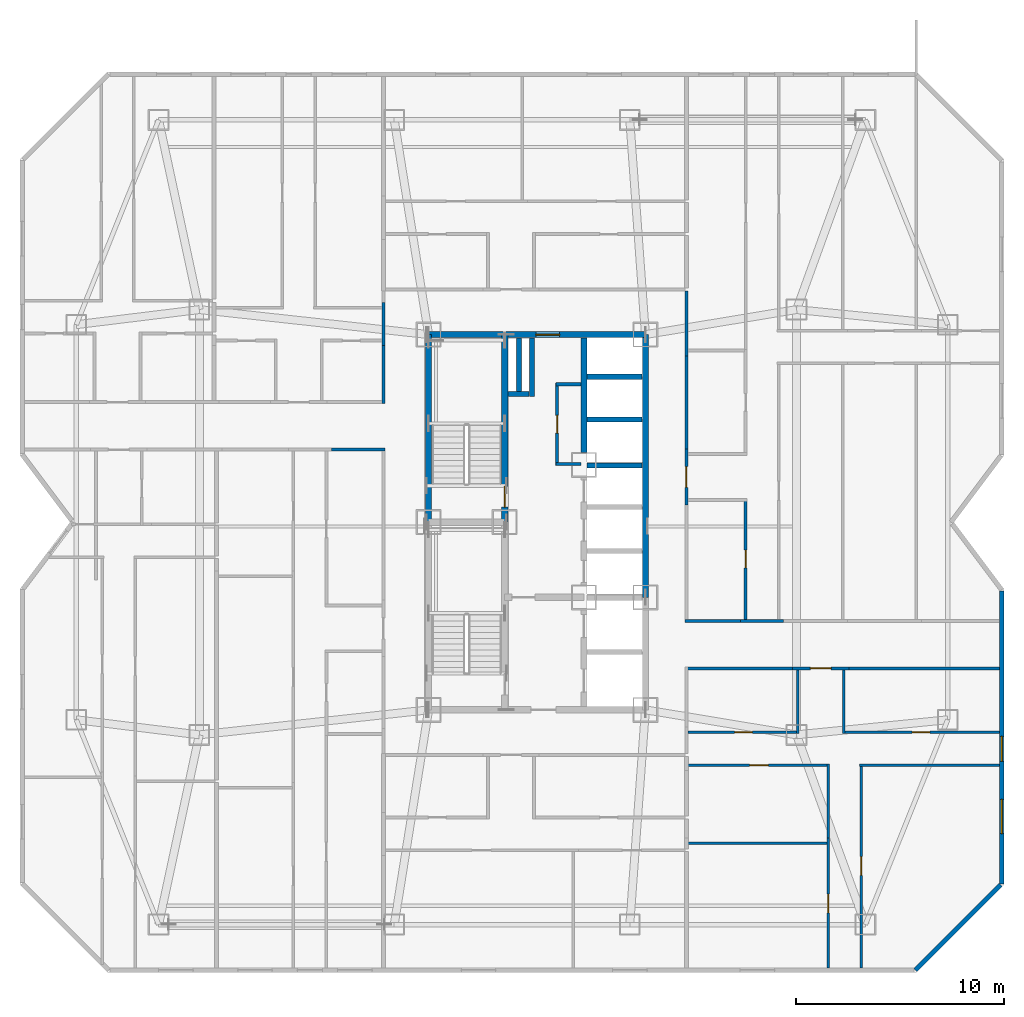
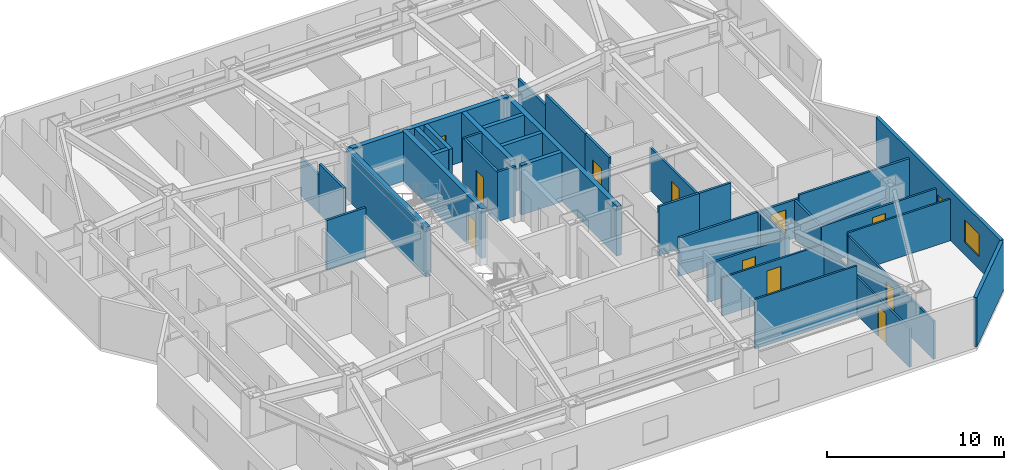
# One storey, part 8 of 11: 38 walls, 11 doors, 2 windows, 13 openings.
"""IFC4 building model written with IfcOpenShell, lengths in metres."""

from ifc_helpers import new_model, si_unit, direction, frame, frame_2d, origin, place, context, subcontext, project, spatial, rectangle, extrude, material, layer, layer_set, type_object, element, fill, save


model = new_model("IFC4")

# Units and contexts
model_context = context("Model", 3, precision=1e-05, world=origin(), true_north=direction((0.0, 1.0)))
body_context = subcontext(model_context, "Body", "Model", "MODEL_VIEW")
ifc_project = project(units=[si_unit("LENGTHUNIT", "METRE"), si_unit("AREAUNIT", "SQUARE_METRE"), si_unit("VOLUMEUNIT", "CUBIC_METRE"), si_unit("PLANEANGLEUNIT", "RADIAN"), si_unit("MASSUNIT", "GRAM", prefix="KILO")], contexts=[model_context])

# Site, building, storey
site_placement = place(None, origin())
site = spatial("IfcSite", under=ifc_project, at=site_placement, CompositionType="ELEMENT")
building_placement = place(site_placement, origin())
building = spatial("IfcBuilding", under=site, at=building_placement, Name="Khamvora Tower", CompositionType="ELEMENT")
storey_placement = place(building_placement, frame((0.0, 0.0, 116.5)))
storey = spatial("IfcBuildingStorey", under=building, at=storey_placement, Name="L29", CompositionType="ELEMENT", Elevation=116.5)

# Wall
ifc_material_1 = material(Name="Concrete C50/60", Category="concrete")
ifc_layer_1 = layer(ifc_material_1, 0.300048828125)
ifc_layer_set_1 = layer_set([ifc_layer_1], Name="Concrete C50/60")
wall_type_1 = type_object("IfcWallType", Name="WAL-CORE-300", PredefinedType="SHEAR", material=ifc_layer_set_1)
wall_1_placement = place(storey_placement, frame((29.0, 28.0, 0.0), z_axis=(0.0, 0.0, 1.0), x_axis=(0.0, 1.0, 0.0)))
element("IfcWall", 1, at=wall_1_placement, inside=storey, type_object=wall_type_1, Name="L29 central core west north wall", PredefinedType="SHEAR", context=body_context, shape_type="SweptSolid", body=[
    extrude(rectangle(XDim=9.0, YDim=0.300048828125, at=frame_2d((4.5, 0.0))), origin(), (0.0, 0.0, 1.0), 3.429931640625),
])

# Wall, opening, door
wall_2_placement = place(storey_placement, frame((29.0, 37.0, 0.0), z_axis=(0.0, 0.0, 1.0), x_axis=(1.0, 0.0, 0.0)))
wall_2 = element("IfcWall", 2, at=wall_2_placement, inside=storey, type_object=wall_type_1, Name="L29 central core north wall", PredefinedType="SHEAR", context=body_context, shape_type="SweptSolid", body=[
    extrude(rectangle(XDim=10.39990234375, YDim=0.300048828125, at=frame_2d((5.199951171875, 0.0))), origin(), (0.0, 0.0, 1.0), 3.429931640625),
])
opening_1_placement = place(wall_2_placement, frame((5.139892578125, 0.0, 0.0)))
opening_1 = element("IfcOpeningElement", 3, at=opening_1_placement, cuts=wall_2, Name="Opening D-SC1", PredefinedType="OPENING", context=body_context, shape_type="SweptSolid", body=[
    extrude(rectangle(XDim=1.14990234375, YDim=2.199951171875, at=frame_2d((0.574951171875, 1.10009765625))), frame((0.0, 0.159912109375, 0.0), z_axis=(0.0, -1.0, 0.0), x_axis=(1.0, 0.0, 0.0)), (0.0, 0.0, 1.0), 0.320068359375),
])
ifc_material_2 = material(Name="Powder-Coated Steel and Hardwood Leaf", Category="steel")
door_type_1 = type_object("IfcDoorType", Name="DOR-SCHL-1150", OperationType="NOTDEFINED", PredefinedType="DOOR", material=ifc_material_2)
door_1_placement = place(opening_1_placement, origin())
door_1 = element("IfcDoor", 4, at=door_1_placement, inside=storey, type_object=door_type_1, Name="L29 north core lobby to corridor fire door", OperationType="SINGLE_SWING_RIGHT", OverallHeight=2.199951171875, OverallWidth=1.14990234375, PredefinedType="DOOR", context=body_context, shape_type="SweptSolid", body=[
    extrude(rectangle(XDim=1.14990234375, YDim=2.199951171875, at=frame_2d((0.574951171875, 1.10009765625))), frame((0.0, 0.02490234375, 0.0), z_axis=(0.0, -1.0, 0.0), x_axis=(1.0, 0.0, 0.0)), (0.0, 0.0, 1.0), 0.050048828125),
])
fill(opening_1, door_1)

# Wall
wall_3_placement = place(storey_placement, frame((39.39990234375, 24.39990234375, 0.0), z_axis=(0.0, 0.0, 1.0), x_axis=(0.0, 1.0, 0.0)))
element("IfcWall", 5, at=wall_3_placement, inside=storey, type_object=wall_type_1, Name="L29 central core east north wall", PredefinedType="SHEAR", context=body_context, shape_type="SweptSolid", body=[
    extrude(rectangle(XDim=12.60009765625, YDim=0.300048828125, at=frame_2d((6.300048828125, 0.0))), origin(), (0.0, 0.0, 1.0), 3.429931640625),
])

# Wall, opening, door
wall_4_placement = place(storey_placement, frame((32.64990234375, 28.0, 0.0), z_axis=(0.0, 0.0, 1.0), x_axis=(0.0, 1.0, 0.0)))
wall_4 = element("IfcWall", 6, at=wall_4_placement, inside=storey, type_object=wall_type_1, Name="L29 central core stair north spine wall", PredefinedType="SHEAR", context=body_context, shape_type="SweptSolid", body=[
    extrude(rectangle(XDim=9.0, YDim=0.300048828125, at=frame_2d((4.5, 0.0))), origin(), (0.0, 0.0, 1.0), 3.429931640625),
])
opening_2_placement = place(wall_4_placement, frame((0.719970703125, 0.0, 0.0)))
opening_2 = element("IfcOpeningElement", 7, at=opening_2_placement, cuts=wall_4, Name="Opening D-ST1", PredefinedType="OPENING", context=body_context, shape_type="SweptSolid", body=[
    extrude(rectangle(XDim=1.0, YDim=2.14990234375, at=frame_2d((0.5, 1.074951171875))), frame((0.0, 0.159912109375, 0.0), z_axis=(0.0, -1.0, 0.0), x_axis=(1.0, 0.0, 0.0)), (0.0, 0.0, 1.0), 0.320068359375),
])
door_type_2 = type_object("IfcDoorType", Name="DOR-STAIR-1000", OperationType="NOTDEFINED", PredefinedType="DOOR", material=ifc_material_2)
door_2_placement = place(opening_2_placement, origin())
door_2 = element("IfcDoor", 8, at=door_2_placement, inside=storey, type_object=door_type_2, Name="L29 exit stair ST-02 fire door", OperationType="SINGLE_SWING_RIGHT", OverallHeight=2.14990234375, OverallWidth=1.0, PredefinedType="DOOR", context=body_context, shape_type="SweptSolid", body=[
    extrude(rectangle(XDim=1.0, YDim=2.14990234375, at=frame_2d((0.5, 1.074951171875))), frame((0.0, 0.02490234375, 0.0), z_axis=(0.0, -1.0, 0.0), x_axis=(1.0, 0.0, 0.0)), (0.0, 0.0, 1.0), 0.050048828125),
])
fill(opening_2, door_2)

# Walls
wall_5_placement = place(storey_placement, frame((36.449951171875, 31.35009765625, 0.0), z_axis=(0.0, 0.0, 1.0), x_axis=(0.0, 1.0, 0.0)))
element("IfcWall", 9, at=wall_5_placement, inside=storey, type_object=wall_type_1, Name="L29 central core lift bank north wall", PredefinedType="SHEAR", context=body_context, shape_type="SweptSolid", body=[
    extrude(rectangle(XDim=5.495849609375, YDim=0.300048828125, at=frame_2d((2.748046875, 0.0))), origin(), (0.0, 0.0, 1.0), 3.429931640625),
])
ifc_material_3 = material(Name="Fire-Rated Drywall and Steel Stud", Category="steel")
ifc_layer_2 = layer(ifc_material_3, 0.14990234375)
ifc_layer_set_2 = layer_set([ifc_layer_2], Name="Fire-Rated Drywall and Steel Stud")
wall_type_2 = type_object("IfcWallType", Name="WAL-CORR-150", PredefinedType="STANDARD", material=ifc_layer_set_2)
wall_6_placement = place(storey_placement, frame((36.305908203125, 34.614990234375, 0.0), z_axis=(0.0, 0.0, 1.0), x_axis=(-1.0, 0.0, 0.0)))
element("IfcWall", 10, at=wall_6_placement, inside=storey, type_object=wall_type_2, Name="L29 interior partition wall 001", PredefinedType="STANDARD", context=body_context, shape_type="SweptSolid", body=[
    extrude(rectangle(XDim=1.205810546875, YDim=0.14990234375, at=frame_2d((0.60302734375, 0.0))), origin(), (0.0, 0.0, 1.0), 3.429931640625),
])

# Wall, opening, door
wall_7_placement = place(storey_placement, frame((35.1650390625, 34.677978515625, 0.0), z_axis=(0.0, 0.0, 1.0), x_axis=(0.0, -1.0, 0.0)))
wall_7 = element("IfcWall", 11, at=wall_7_placement, inside=storey, type_object=wall_type_2, Name="L29 interior partition wall 002", PredefinedType="STANDARD", context=body_context, shape_type="SweptSolid", body=[
    extrude(rectangle(XDim=3.9580078125, YDim=0.14990234375, at=frame_2d((1.97900390625, 0.0))), origin(), (0.0, 0.0, 1.0), 3.429931640625),
])
opening_3_placement = place(wall_7_placement, frame((1.553955078125, 0.0, 0.0)))
opening_3 = element("IfcOpeningElement", 12, at=opening_3_placement, cuts=wall_7, Name="Opening D-WC1", PredefinedType="OPENING", context=body_context, shape_type="SweptSolid", body=[
    extrude(rectangle(XDim=0.85009765625, YDim=2.10009765625, at=frame_2d((0.425048828125, 1.050048828125))), frame((0.0, 0.0849609375, 0.0), z_axis=(0.0, -1.0, 0.0), x_axis=(1.0, 0.0, 0.0)), (0.0, 0.0, 1.0), 0.169921875),
])
door_type_3 = type_object("IfcDoorType", Name="DOR-WET-850", OperationType="NOTDEFINED", PredefinedType="DOOR", material=ifc_material_2)
door_3_placement = place(opening_3_placement, origin())
door_3 = element("IfcDoor", 13, at=door_3_placement, inside=storey, type_object=door_type_3, Name="L29 interior door PLL-CS1", OperationType="SINGLE_SWING_LEFT", OverallHeight=2.10009765625, OverallWidth=0.85009765625, PredefinedType="DOOR", context=body_context, shape_type="SweptSolid", body=[
    extrude(rectangle(XDim=0.85009765625, YDim=2.10009765625, at=frame_2d((0.425048828125, 1.050048828125))), frame((0.0, 0.02490234375, 0.0), z_axis=(0.0, -1.0, 0.0), x_axis=(1.0, 0.0, 0.0)), (0.0, 0.0, 1.0), 0.050048828125),
])
fill(opening_3, door_3)

# Walls
wall_8_placement = place(storey_placement, frame((35.10205078125, 30.784912109375, 0.0), z_axis=(0.0, 0.0, 1.0), x_axis=(1.0, 0.0, 0.0)))
element("IfcWall", 14, at=wall_8_placement, inside=storey, type_object=wall_type_2, Name="L29 interior partition wall 003", PredefinedType="STANDARD", context=body_context, shape_type="SweptSolid", body=[
    extrude(rectangle(XDim=1.197998046875, YDim=0.14990234375, at=frame_2d((0.59912109375, 0.0))), origin(), (0.0, 0.0, 1.0), 3.429931640625),
])
wall_9_placement = place(storey_placement, frame((26.89794921875, 31.485107421875, 0.0), z_axis=(0.0, 0.0, 1.0), x_axis=(-1.0, 0.0, 0.0)))
element("IfcWall", 15, at=wall_9_placement, inside=storey, type_object=wall_type_2, Name="L29 interior partition wall 012", PredefinedType="STANDARD", context=body_context, shape_type="SweptSolid", body=[
    extrude(rectangle(XDim=2.551025390625, YDim=0.14990234375, at=frame_2d((1.275390625, 0.0))), origin(), (0.0, 0.0, 1.0), 3.429931640625),
])
wall_10_placement = place(storey_placement, frame((26.8349609375, 36.465087890625, 0.0), z_axis=(0.0, 0.0, 1.0), x_axis=(0.0, 1.0, 0.0)))
element("IfcWall", 16, at=wall_10_placement, inside=storey, type_object=wall_type_2, Name="L29 interior partition wall 017", PredefinedType="STANDARD", context=body_context, shape_type="SweptSolid", body=[
    extrude(rectangle(XDim=2.077880859375, YDim=0.14990234375, at=frame_2d((1.0390625, 0.0))), origin(), (0.0, 0.0, 1.0), 2.64697265625),
])
wall_11_placement = place(storey_placement, frame((26.8349609375, 33.699951171875, 0.0), z_axis=(0.0, 0.0, 1.0), x_axis=(0.0, 1.0, 0.0)))
element("IfcWall", 17, at=wall_11_placement, inside=storey, type_object=wall_type_2, Name="L29 interior partition wall 020", PredefinedType="STANDARD", context=body_context, shape_type="SweptSolid", body=[
    extrude(rectangle(XDim=2.76513671875, YDim=0.14990234375, at=frame_2d((1.382568359375, 0.0))), origin(), (0.0, 0.0, 1.0), 3.429931640625),
])

# Wall, opening, door
wall_12_placement = place(storey_placement, frame((49.158935546875, 20.985107421875, 0.0), z_axis=(0.0, 0.0, 1.0), x_axis=(-1.0, 0.0, 0.0)))
wall_12 = element("IfcWall", 18, at=wall_12_placement, inside=storey, type_object=wall_type_2, Name="L29 interior partition wall 029", PredefinedType="STANDARD", context=body_context, shape_type="SweptSolid", body=[
    extrude(rectangle(XDim=2.697998046875, YDim=0.14990234375, at=frame_2d((1.34912109375, 0.0))), origin(), (0.0, 0.0, 1.0), 2.64697265625),
])
opening_4_placement = place(wall_12_placement, frame((0.84912109375, 0.0, 0.0)))
opening_4 = element("IfcOpeningElement", 19, at=opening_4_placement, cuts=wall_12, Name="Opening D-U1", PredefinedType="OPENING", context=body_context, shape_type="SweptSolid", body=[
    extrude(rectangle(XDim=1.0, YDim=2.14990234375, at=frame_2d((0.5, 1.074951171875))), frame((0.0, 0.0849609375, 0.0), z_axis=(0.0, -1.0, 0.0), x_axis=(1.0, 0.0, 0.0)), (0.0, 0.0, 1.0), 0.169921875),
])
door_type_4 = type_object("IfcDoorType", Name="DOR-UNIT-1000", OperationType="NOTDEFINED", PredefinedType="DOOR", material=ifc_material_2)
door_4_placement = place(opening_4_placement, origin())
door_4 = element("IfcDoor", 20, at=door_4_placement, inside=storey, type_object=door_type_4, Name="L29 interior door COR-29EAH", OperationType="SINGLE_SWING_RIGHT", OverallHeight=2.14990234375, OverallWidth=1.0, PredefinedType="DOOR", context=body_context, shape_type="SweptSolid", body=[
    extrude(rectangle(XDim=1.0, YDim=2.14990234375, at=frame_2d((0.5, 1.074951171875))), frame((0.0, 0.02490234375, 0.0), z_axis=(0.0, -1.0, 0.0), x_axis=(1.0, 0.0, 0.0)), (0.0, 0.0, 1.0), 0.050048828125),
])
fill(opening_4, door_4)

# Walls
wall_13_placement = place(storey_placement, frame((46.4609375, 20.985107421875, 0.0), z_axis=(0.0, 0.0, 1.0), x_axis=(-1.0, 0.0, 0.0)))
element("IfcWall", 21, at=wall_13_placement, inside=storey, type_object=wall_type_2, Name="L29 interior partition wall 031", PredefinedType="STANDARD", context=body_context, shape_type="SweptSolid", body=[
    extrude(rectangle(XDim=5.160888671875, YDim=0.14990234375, at=frame_2d((2.58056640625, 0.0))), origin(), (0.0, 0.0, 1.0), 2.64697265625),
])
wall_14_placement = place(storey_placement, frame((56.387939453125, 20.985107421875, 0.0), z_axis=(0.0, 0.0, 1.0), x_axis=(-1.0, 0.0, 0.0)))
element("IfcWall", 22, at=wall_14_placement, inside=storey, type_object=wall_type_2, Name="L29 interior partition wall 033", PredefinedType="STANDARD", context=body_context, shape_type="SweptSolid", body=[
    extrude(rectangle(XDim=7.22900390625, YDim=0.14990234375, at=frame_2d((3.614501953125, 0.0))), origin(), (0.0, 0.0, 1.0), 2.8759765625),
])
wall_15_placement = place(storey_placement, frame((41.364990234375, 39.10009765625, 0.0), z_axis=(0.0, 0.0, 1.0), x_axis=(0.0, -1.0, 0.0)))
element("IfcWall", 23, at=wall_15_placement, inside=storey, type_object=wall_type_2, Name="L29 interior partition wall 034", PredefinedType="STANDARD", context=body_context, shape_type="SweptSolid", body=[
    extrude(rectangle(XDim=3.1181640625, YDim=0.14990234375, at=frame_2d((1.55908203125, 0.0))), origin(), (0.0, 0.0, 1.0), 2.64697265625),
])

# Wall, opening, door
wall_16_placement = place(storey_placement, frame((41.364990234375, 31.514892578125, 0.0), z_axis=(0.0, 0.0, 1.0), x_axis=(0.0, -1.0, 0.0)))
wall_16 = element("IfcWall", 24, at=wall_16_placement, inside=storey, type_object=wall_type_2, Name="L29 interior partition wall 035", PredefinedType="STANDARD", context=body_context, shape_type="SweptSolid", body=[
    extrude(rectangle(XDim=2.697998046875, YDim=0.14990234375, at=frame_2d((1.34912109375, 0.0))), origin(), (0.0, 0.0, 1.0), 3.429931640625),
])
opening_5_placement = place(wall_16_placement, frame((0.84912109375, 0.0, 0.0)))
opening_5 = element("IfcOpeningElement", 25, at=opening_5_placement, cuts=wall_16, Name="Opening D-U1", PredefinedType="OPENING", context=body_context, shape_type="SweptSolid", body=[
    extrude(rectangle(XDim=1.0, YDim=2.14990234375, at=frame_2d((0.5, 1.074951171875))), frame((0.0, 0.0849609375, 0.0), z_axis=(0.0, -1.0, 0.0), x_axis=(1.0, 0.0, 0.0)), (0.0, 0.0, 1.0), 0.169921875),
])
door_5_placement = place(opening_5_placement, origin())
door_5 = element("IfcDoor", 26, at=door_5_placement, inside=storey, type_object=door_type_4, Name="L29 interior door COR-29EBH", OperationType="SINGLE_SWING_LEFT", OverallHeight=2.14990234375, OverallWidth=1.0, PredefinedType="DOOR", context=body_context, shape_type="SweptSolid", body=[
    extrude(rectangle(XDim=1.0, YDim=2.14990234375, at=frame_2d((0.5, 1.074951171875))), frame((0.0, 0.02490234375, 0.0), z_axis=(0.0, -1.0, 0.0), x_axis=(1.0, 0.0, 0.0)), (0.0, 0.0, 1.0), 0.050048828125),
])
fill(opening_5, door_5)

# Walls
wall_17_placement = place(storey_placement, frame((43.95703125, 23.264892578125, 0.0), z_axis=(0.0, 0.0, 1.0), x_axis=(1.0, 0.0, 0.0)))
element("IfcWall", 27, at=wall_17_placement, inside=storey, type_object=wall_type_2, Name="L29 interior partition wall 036", PredefinedType="STANDARD", context=body_context, shape_type="SweptSolid", body=[
    extrude(rectangle(XDim=2.077880859375, YDim=0.14990234375, at=frame_2d((1.0390625, 0.0))), origin(), (0.0, 0.0, 1.0), 3.429931640625),
])
wall_18_placement = place(storey_placement, frame((41.364990234375, 35.98193359375, 0.0), z_axis=(0.0, 0.0, 1.0), x_axis=(0.0, -1.0, 0.0)))
element("IfcWall", 28, at=wall_18_placement, inside=storey, type_object=wall_type_2, Name="L29 interior partition wall 037", PredefinedType="STANDARD", context=body_context, shape_type="SweptSolid", body=[
    extrude(rectangle(XDim=4.467041015625, YDim=0.14990234375, at=frame_2d((2.2333984375, 0.0))), origin(), (0.0, 0.0, 1.0), 3.429931640625),
])
wall_19_placement = place(storey_placement, frame((41.300048828125, 23.264892578125, 0.0), z_axis=(0.0, 0.0, 1.0), x_axis=(1.0, 0.0, 0.0)))
element("IfcWall", 29, at=wall_19_placement, inside=storey, type_object=wall_type_2, Name="L29 interior partition wall 039", PredefinedType="STANDARD", context=body_context, shape_type="SweptSolid", body=[
    extrude(rectangle(XDim=2.656982421875, YDim=0.14990234375, at=frame_2d((1.32861328125, 0.0))), origin(), (0.0, 0.0, 1.0), 3.429931640625),
])

# Wall, openings, windows
ifc_material_4 = material(Name="Precast concrete C40/50", Category="concrete")
ifc_layer_3 = layer(ifc_material_4, 0.219970703125)
ifc_layer_set_3 = layer_set([ifc_layer_3], Name="Precast concrete C40/50")
wall_type_3 = type_object("IfcWallType", Name="WAL-EXT-220", PredefinedType="STANDARD", material=ifc_layer_set_3)
wall_20_placement = place(storey_placement, frame((56.489990234375, 24.70703125, 0.0), z_axis=(0.0, 0.0, 1.0), x_axis=(0.0, -1.0, 0.0)))
wall_20 = element("IfcWall", 30, at=wall_20_placement, inside=storey, type_object=wall_type_3, Name="L29 exterior facade wall 12.1", PredefinedType="STANDARD", context=body_context, shape_type="SweptSolid", body=[
    extrude(rectangle(XDim=14.06103515625, YDim=0.219970703125, at=frame_2d((7.030517578125, 0.0))), origin(), (0.0, 0.0, 1.0), 3.429931640625),
])
opening_6_placement = place(wall_20_placement, frame((6.97607421875, 0.0, 0.800048828125)))
opening_6 = element("IfcOpeningElement", 31, at=opening_6_placement, cuts=wall_20, Name="Opening WN-03", PredefinedType="OPENING", context=body_context, shape_type="SweptSolid", body=[
    extrude(rectangle(XDim=1.199951171875, YDim=1.5, at=frame_2d((0.60009765625, 0.75))), frame((0.0, 0.119873046875, 0.0), z_axis=(0.0, -1.0, 0.0), x_axis=(1.0, 0.0, 0.0)), (0.0, 0.0, 1.0), 0.239990234375),
])
opening_7_placement = place(wall_20_placement, frame((9.99609375, 0.0, 0.85009765625)))
opening_7 = element("IfcOpeningElement", 32, at=opening_7_placement, cuts=wall_20, Name="Opening WN-06", PredefinedType="OPENING", context=body_context, shape_type="SweptSolid", body=[
    extrude(rectangle(XDim=1.64990234375, YDim=1.550048828125, at=frame_2d((0.824951171875, 0.77490234375))), frame((0.0, 0.119873046875, 0.0), z_axis=(0.0, -1.0, 0.0), x_axis=(1.0, 0.0, 0.0)), (0.0, 0.0, 1.0), 0.239990234375),
])
ifc_material_5 = material(Name="Low-E Laminated Double Glazing", Category="glass")
window_type_1 = type_object("IfcWindowType", Name="WIN-VIS-1200x1500", PartitioningType="SINGLE_PANEL", PredefinedType="WINDOW", material=ifc_material_5)
window_1_placement = place(opening_6_placement, origin())
window_1 = element("IfcWindow", 33, at=window_1_placement, inside=storey, type_object=window_type_1, Name="L29 vision window 12.1.01", OverallHeight=1.5, OverallWidth=1.199951171875, PartitioningType="SINGLE_PANEL", PredefinedType="WINDOW", context=body_context, shape_type="SweptSolid", body=[
    extrude(rectangle(XDim=1.199951171875, YDim=1.5, at=frame_2d((0.60009765625, 0.75))), frame((0.0, 0.030029296875, 0.0), z_axis=(0.0, -1.0, 0.0), x_axis=(1.0, 0.0, 0.0)), (0.0, 0.0, 1.0), 0.06005859375),
])
fill(opening_6, window_1)
window_type_2 = type_object("IfcWindowType", Name="WIN-VIS-1650x1550", PartitioningType="SINGLE_PANEL", PredefinedType="WINDOW", material=ifc_material_5)
window_2_placement = place(opening_7_placement, origin())
window_2 = element("IfcWindow", 34, at=window_2_placement, inside=storey, type_object=window_type_2, Name="L29 vision window 12.1.02", OverallHeight=1.550048828125, OverallWidth=1.64990234375, PartitioningType="SINGLE_PANEL", PredefinedType="WINDOW", context=body_context, shape_type="SweptSolid", body=[
    extrude(rectangle(XDim=1.64990234375, YDim=1.550048828125, at=frame_2d((0.824951171875, 0.77490234375))), frame((0.0, 0.030029296875, 0.0), z_axis=(0.0, -1.0, 0.0), x_axis=(1.0, 0.0, 0.0)), (0.0, 0.0, 1.0), 0.06005859375),
])
fill(opening_7, window_2)

# Wall
wall_21_placement = place(storey_placement, frame((56.43994140625, 10.595947265625, 0.0), z_axis=(0.0, 0.0, 1.0), x_axis=(-0.707106781187, -0.707106781187, 0.0)))
element("IfcWall", 35, at=wall_21_placement, inside=storey, type_object=wall_type_3, Name="L29 exterior facade wall 13.1", PredefinedType="STANDARD", context=body_context, shape_type="SweptSolid", body=[
    extrude(rectangle(XDim=5.7783203125, YDim=0.219970703125, at=frame_2d((2.88916015625, 0.0))), origin(), (0.0, 0.0, 1.0), 3.429931640625),
])

# Wall, opening, door
ifc_material_6 = material(Name="Gypsum Plasterboard Partition", Category="gypsum")
ifc_layer_4 = layer(ifc_material_6, 0.1201171875)
ifc_layer_set_4 = layer_set([ifc_layer_4], Name="Gypsum Plasterboard Partition")
wall_type_4 = type_object("IfcWallType", Name="WAL-PART-120", PredefinedType="PARTITIONING", material=ifc_layer_set_4)
wall_22_placement = place(storey_placement, frame((48.175048828125, 6.612060546875, 0.0), z_axis=(0.0, 0.0, 1.0), x_axis=(0.0, 1.0, 0.0)))
wall_22 = element("IfcWall", 36, at=wall_22_placement, inside=storey, type_object=wall_type_4, Name="L29 interior partition wall 123", PredefinedType="PARTITIONING", context=body_context, shape_type="SweptSolid", body=[
    extrude(rectangle(XDim=6.241943359375, YDim=0.1201171875, at=frame_2d((3.12109375, 0.0))), origin(), (0.0, 0.0, 1.0), 2.64697265625),
])
opening_8_placement = place(wall_22_placement, frame((2.64990234375, 0.0, 0.0)))
opening_8 = element("IfcOpeningElement", 37, at=opening_8_placement, cuts=wall_22, Name="Opening D-RM1", PredefinedType="OPENING", context=body_context, shape_type="SweptSolid", body=[
    extrude(rectangle(XDim=0.89990234375, YDim=2.10009765625, at=frame_2d((0.449951171875, 1.050048828125))), frame((0.0, 0.070068359375, 0.0), z_axis=(0.0, -1.0, 0.0), x_axis=(1.0, 0.0, 0.0)), (0.0, 0.0, 1.0), 0.14013671875),
])
door_type_5 = type_object("IfcDoorType", Name="DOR-ROOM-900", OperationType="NOTDEFINED", PredefinedType="DOOR", material=ifc_material_2)
door_6_placement = place(opening_8_placement, origin())
door_6 = element("IfcDoor", 38, at=door_6_placement, inside=storey, type_object=door_type_5, Name="L29 interior door 29EAH-29EAR1", OperationType="SINGLE_SWING_RIGHT", OverallHeight=2.10009765625, OverallWidth=0.89990234375, PredefinedType="DOOR", context=body_context, shape_type="SweptSolid", body=[
    extrude(rectangle(XDim=0.89990234375, YDim=2.10009765625, at=frame_2d((0.449951171875, 1.050048828125))), frame((0.0, 0.02490234375, 0.0), z_axis=(0.0, -1.0, 0.0), x_axis=(1.0, 0.0, 0.0)), (0.0, 0.0, 1.0), 0.050048828125),
])
fill(opening_8, door_6)

# Wall
wall_23_placement = place(storey_placement, frame((48.175048828125, 12.85400390625, 0.0), z_axis=(0.0, 0.0, 1.0), x_axis=(0.0, 1.0, 0.0)))
element("IfcWall", 39, at=wall_23_placement, inside=storey, type_object=wall_type_4, Name="L29 interior partition wall 124", PredefinedType="PARTITIONING", context=body_context, shape_type="SweptSolid", body=[
    extrude(rectangle(XDim=3.552001953125, YDim=0.1201171875, at=frame_2d((1.77587890625, 0.0))), origin(), (0.0, 0.0, 1.0), 2.64697265625),
])

# Wall, opening, door
wall_24_placement = place(storey_placement, frame((48.239990234375, 16.341064453125, 0.0), z_axis=(0.0, 0.0, 1.0), x_axis=(-1.0, 0.0, 0.0)))
wall_24 = element("IfcWall", 40, at=wall_24_placement, inside=storey, type_object=wall_type_4, Name="L29 interior partition wall 125", PredefinedType="PARTITIONING", context=body_context, shape_type="SweptSolid", body=[
    extrude(rectangle(XDim=6.79296875, YDim=0.1201171875, at=frame_2d((3.396484375, 0.0))), origin(), (0.0, 0.0, 1.0), 2.64697265625),
])
opening_9_placement = place(wall_24_placement, frame((2.946044921875, 0.0, 0.0)))
opening_9 = element("IfcOpeningElement", 41, at=opening_9_placement, cuts=wall_24, Name="Opening D-RM1", PredefinedType="OPENING", context=body_context, shape_type="SweptSolid", body=[
    extrude(rectangle(XDim=0.89990234375, YDim=2.10009765625, at=frame_2d((0.449951171875, 1.050048828125))), frame((0.0, 0.070068359375, 0.0), z_axis=(0.0, -1.0, 0.0), x_axis=(1.0, 0.0, 0.0)), (0.0, 0.0, 1.0), 0.14013671875),
])
door_7_placement = place(opening_9_placement, origin())
door_7 = element("IfcDoor", 42, at=door_7_placement, inside=storey, type_object=door_type_5, Name="L29 interior door 29EAH-29EAR2", OperationType="SINGLE_SWING_LEFT", OverallHeight=2.10009765625, OverallWidth=0.89990234375, PredefinedType="DOOR", context=body_context, shape_type="SweptSolid", body=[
    extrude(rectangle(XDim=0.89990234375, YDim=2.10009765625, at=frame_2d((0.449951171875, 1.050048828125))), frame((0.0, 0.02490234375, 0.0), z_axis=(0.0, -1.0, 0.0), x_axis=(1.0, 0.0, 0.0)), (0.0, 0.0, 1.0), 0.050048828125),
])
fill(opening_9, door_7)

# Wall
wall_25_placement = place(storey_placement, frame((56.387939453125, 16.341064453125, 0.0), z_axis=(0.0, 0.0, 1.0), x_axis=(-1.0, 0.0, 0.0)))
element("IfcWall", 43, at=wall_25_placement, inside=storey, type_object=wall_type_4, Name="L29 interior partition wall 126", PredefinedType="PARTITIONING", context=body_context, shape_type="SweptSolid", body=[
    extrude(rectangle(XDim=6.7080078125, YDim=0.1201171875, at=frame_2d((3.35400390625, 0.0))), origin(), (0.0, 0.0, 1.0), 2.8759765625),
])

# Wall, opening, door
wall_26_placement = place(storey_placement, frame((49.7451171875, 16.406005859375, 0.0), z_axis=(0.0, 0.0, 1.0), x_axis=(0.0, -1.0, 0.0)))
wall_26 = element("IfcWall", 44, at=wall_26_placement, inside=storey, type_object=wall_type_4, Name="L29 interior partition wall 127", PredefinedType="PARTITIONING", context=body_context, shape_type="SweptSolid", body=[
    extrude(rectangle(XDim=9.7939453125, YDim=0.1201171875, at=frame_2d((4.89697265625, 0.0))), origin(), (0.0, 0.0, 1.0), 2.64697265625),
])
opening_10_placement = place(wall_26_placement, frame((4.447021484375, 0.0, 0.0)))
opening_10 = element("IfcOpeningElement", 45, at=opening_10_placement, cuts=wall_26, Name="Opening D-RM1", PredefinedType="OPENING", context=body_context, shape_type="SweptSolid", body=[
    extrude(rectangle(XDim=0.89990234375, YDim=2.10009765625, at=frame_2d((0.449951171875, 1.050048828125))), frame((0.0, 0.070068359375, 0.0), z_axis=(0.0, -1.0, 0.0), x_axis=(1.0, 0.0, 0.0)), (0.0, 0.0, 1.0), 0.14013671875),
])
door_8_placement = place(opening_10_placement, origin())
door_8 = element("IfcDoor", 46, at=door_8_placement, inside=storey, type_object=door_type_5, Name="L29 interior door 29EAH-29EAR3", OperationType="SINGLE_SWING_RIGHT", OverallHeight=2.10009765625, OverallWidth=0.89990234375, PredefinedType="DOOR", context=body_context, shape_type="SweptSolid", body=[
    extrude(rectangle(XDim=0.89990234375, YDim=2.10009765625, at=frame_2d((0.449951171875, 1.050048828125))), frame((0.0, 0.02490234375, 0.0), z_axis=(0.0, -1.0, 0.0), x_axis=(1.0, 0.0, 0.0)), (0.0, 0.0, 1.0), 0.050048828125),
])
fill(opening_10, door_8)

# Walls
wall_27_placement = place(storey_placement, frame((41.447021484375, 12.60498046875, 0.0), z_axis=(0.0, 0.0, 1.0), x_axis=(1.0, 0.0, 0.0)))
element("IfcWall", 47, at=wall_27_placement, inside=storey, type_object=wall_type_4, Name="L29 interior partition wall 128", PredefinedType="PARTITIONING", context=body_context, shape_type="SweptSolid", body=[
    extrude(rectangle(XDim=6.674072265625, YDim=0.1201171875, at=frame_2d((3.3369140625, 0.0))), origin(), (0.0, 0.0, 1.0), 3.429931640625),
])
ifc_material_7 = material(Name="Concrete C40/50", Category="concrete")
ifc_layer_5 = layer(ifc_material_7, 0.25)
ifc_layer_set_5 = layer_set([ifc_layer_5], Name="Concrete C40/50")
wall_type_5 = type_object("IfcWallType", Name="WAL-PODS-250", PredefinedType="SHEAR", material=ifc_layer_set_5)
for number, where, z_axis, x_axis, name in (
    (48, (36.60400390625, 30.72509765625, 0.0), (0.0, 0.0, 1.0), (1.0, 0.0, 0.0), "L29 lift shaft divider wall PL-03"),
    (49, (36.60400390625, 32.925048828125, 0.0), (0.0, 0.0, 1.0), (1.0, 0.0, 0.0), "L29 lift shaft divider wall PH-01"),
    (50, (36.60400390625, 34.97509765625, 0.0), (0.0, 0.0, 1.0), (1.0, 0.0, 0.0), "L29 lift shaft divider wall PH-02"),
):
    element("IfcWall", number, at=place(storey_placement, frame(where, z_axis=z_axis, x_axis=x_axis)), inside=storey, type_object=wall_type_5, Name=name, PredefinedType="SHEAR", context=body_context, shape_type="SweptSolid", body=[
        extrude(rectangle(XDim=2.64208984375, YDim=0.25, at=frame_2d((1.321044921875, 0.0))), origin(), (0.0, 0.0, 1.0), 3.429931640625),
    ])
wall_28_placement = place(storey_placement, frame((33.955078125, 34.02490234375, 0.0), z_axis=(0.0, 0.0, 1.0), x_axis=(0.0, 1.0, 0.0)))
element("IfcWall", 51, at=wall_28_placement, inside=storey, type_object=wall_type_5, Name="L29 vertical MEP riser shaft east enclosure wall", PredefinedType="SHEAR", context=body_context, shape_type="SweptSolid", body=[
    extrude(rectangle(XDim=2.821044921875, YDim=0.25, at=frame_2d((1.41064453125, 0.0))), origin(), (0.0, 0.0, 1.0), 3.429931640625),
])
wall_29_placement = place(storey_placement, frame((32.803955078125, 34.14990234375, 0.0), z_axis=(0.0, 0.0, 1.0), x_axis=(1.0, 0.0, 0.0)))
element("IfcWall", 52, at=wall_29_placement, inside=storey, type_object=wall_type_5, Name="L29 vertical MEP riser shaft south enclosure wall", PredefinedType="SHEAR", context=body_context, shape_type="SweptSolid", body=[
    extrude(rectangle(XDim=1.02197265625, YDim=0.25, at=frame_2d((0.510986328125, 0.0))), origin(), (0.0, 0.0, 1.0), 3.429931640625),
])
wall_30_placement = place(storey_placement, frame((33.340087890625, 34.279052734375, 0.0), z_axis=(0.0, 0.0, 1.0), x_axis=(0.0, 1.0, 0.0)))
element("IfcWall", 53, at=wall_30_placement, inside=storey, type_object=wall_type_5, Name="L29 vertical MEP riser shaft divider enclosure wall", PredefinedType="SHEAR", context=body_context, shape_type="SweptSolid", body=[
    extrude(rectangle(XDim=2.56689453125, YDim=0.25, at=frame_2d((1.283447265625, 0.0))), origin(), (0.0, 0.0, 1.0), 3.429931640625),
])

# Wall, opening, door
ifc_material_8 = material(Name="Moisture-Resistant Plasterboard Partition", Category="gypsum")
ifc_layer_6 = layer(ifc_material_8, 0.135009765625)
ifc_layer_set_6 = layer_set([ifc_layer_6], Name="Moisture-Resistant Plasterboard Partition")
wall_type_6 = type_object("IfcWallType", Name="WAL-WET-135", PredefinedType="PARTITIONING", material=ifc_layer_set_6)
wall_31_placement = place(storey_placement, frame((41.431884765625, 17.9208984375, 0.0), z_axis=(0.0, 0.0, 1.0), x_axis=(1.0, 0.0, 0.0)))
wall_31 = element("IfcWall", 54, at=wall_31_placement, inside=storey, type_object=wall_type_6, Name="L29 interior partition wall 119", PredefinedType="PARTITIONING", context=body_context, shape_type="SweptSolid", body=[
    extrude(rectangle(XDim=5.343017578125, YDim=0.135009765625, at=frame_2d((2.67138671875, 0.0))), origin(), (0.0, 0.0, 1.0), 2.64697265625),
])
opening_11_placement = place(wall_31_placement, frame((2.2470703125, 0.0, 0.0)))
opening_11 = element("IfcOpeningElement", 55, at=opening_11_placement, cuts=wall_31, Name="Opening D-WC1", PredefinedType="OPENING", context=body_context, shape_type="SweptSolid", body=[
    extrude(rectangle(XDim=0.85009765625, YDim=2.10009765625, at=frame_2d((0.425048828125, 1.050048828125))), frame((0.0, 0.077392578125, 0.0), z_axis=(0.0, -1.0, 0.0), x_axis=(1.0, 0.0, 0.0)), (0.0, 0.0, 1.0), 0.155029296875),
])
door_9_placement = place(opening_11_placement, origin())
door_9 = element("IfcDoor", 56, at=door_9_placement, inside=storey, type_object=door_type_3, Name="L29 interior door 29EAH-29EAB", OperationType="SINGLE_SWING_RIGHT", OverallHeight=2.10009765625, OverallWidth=0.85009765625, PredefinedType="DOOR", context=body_context, shape_type="SweptSolid", body=[
    extrude(rectangle(XDim=0.85009765625, YDim=2.10009765625, at=frame_2d((0.425048828125, 1.050048828125))), frame((0.0, 0.02490234375, 0.0), z_axis=(0.0, -1.0, 0.0), x_axis=(1.0, 0.0, 0.0)), (0.0, 0.0, 1.0), 0.050048828125),
])
fill(opening_11, door_9)

# Walls
for number, where, z_axis, x_axis, name in (
    (57, (46.7099609375, 17.85595703125, 0.0), (0.0, 0.0, 1.0), (0.0, 1.0, 0.0), "L29 interior partition wall 120"),
    (58, (48.909912109375, 20.91796875, 0.0), (0.0, 0.0, 1.0), (0.0, -1.0, 0.0), "L29 interior partition wall 121"),
):
    element("IfcWall", number, at=place(storey_placement, frame(where, z_axis=z_axis, x_axis=x_axis)), inside=storey, type_object=wall_type_6, Name=name, PredefinedType="PARTITIONING", context=body_context, shape_type="SweptSolid", body=[
        extrude(rectangle(XDim=3.06201171875, YDim=0.135009765625, at=frame_2d((1.531005859375, 0.0))), origin(), (0.0, 0.0, 1.0), 2.64697265625),
    ])

# Wall, opening, door
wall_32_placement = place(storey_placement, frame((48.844970703125, 17.9208984375, 0.0), z_axis=(0.0, 0.0, 1.0), x_axis=(1.0, 0.0, 0.0)))
wall_32 = element("IfcWall", 59, at=wall_32_placement, inside=storey, type_object=wall_type_6, Name="L29 interior partition wall 122", PredefinedType="PARTITIONING", context=body_context, shape_type="SweptSolid", body=[
    extrude(rectangle(XDim=7.54296875, YDim=0.135009765625, at=frame_2d((3.771484375, 0.0))), origin(), (0.0, 0.0, 1.0), 2.64697265625),
])
opening_12_placement = place(wall_32_placement, frame((3.346923828125, 0.0, 0.0)))
opening_12 = element("IfcOpeningElement", 60, at=opening_12_placement, cuts=wall_32, Name="Opening D-RM2", PredefinedType="OPENING", context=body_context, shape_type="SweptSolid", body=[
    extrude(rectangle(XDim=0.85009765625, YDim=2.10009765625, at=frame_2d((0.425048828125, 1.050048828125))), frame((0.0, 0.077392578125, 0.0), z_axis=(0.0, -1.0, 0.0), x_axis=(1.0, 0.0, 0.0)), (0.0, 0.0, 1.0), 0.155029296875),
])
door_type_6 = type_object("IfcDoorType", Name="DOR-ROOM-850", OperationType="NOTDEFINED", PredefinedType="DOOR", material=ifc_material_2)
door_10_placement = place(opening_12_placement, origin())
door_10 = element("IfcDoor", 61, at=door_10_placement, inside=storey, type_object=door_type_6, Name="L29 interior door 29EAH-29EAK", OperationType="SINGLE_SWING_LEFT", OverallHeight=2.10009765625, OverallWidth=0.85009765625, PredefinedType="DOOR", context=body_context, shape_type="SweptSolid", body=[
    extrude(rectangle(XDim=0.85009765625, YDim=2.10009765625, at=frame_2d((0.425048828125, 1.050048828125))), frame((0.0, 0.02490234375, 0.0), z_axis=(0.0, -1.0, 0.0), x_axis=(1.0, 0.0, 0.0)), (0.0, 0.0, 1.0), 0.050048828125),
])
fill(opening_12, door_10)

wall_33_placement = place(storey_placement, frame((44.2060546875, 23.33203125, 0.0), z_axis=(0.0, 0.0, 1.0), x_axis=(0.0, 1.0, 0.0)))
wall_33 = element("IfcWall", 62, at=wall_33_placement, inside=storey, type_object=wall_type_6, Name="L29 interior partition wall 133", PredefinedType="PARTITIONING", context=body_context, shape_type="SweptSolid", body=[
    extrude(rectangle(XDim=5.799072265625, YDim=0.135009765625, at=frame_2d((2.8994140625, 0.0))), origin(), (0.0, 0.0, 1.0), 2.9609375),
])
opening_13_placement = place(wall_33_placement, frame((2.47509765625, 0.0, 0.0)))
opening_13 = element("IfcOpeningElement", 63, at=opening_13_placement, cuts=wall_33, Name="Opening D-RM2", PredefinedType="OPENING", context=body_context, shape_type="SweptSolid", body=[
    extrude(rectangle(XDim=0.85009765625, YDim=2.10009765625, at=frame_2d((0.425048828125, 1.050048828125))), frame((0.0, 0.077392578125, 0.0), z_axis=(0.0, -1.0, 0.0), x_axis=(1.0, 0.0, 0.0)), (0.0, 0.0, 1.0), 0.155029296875),
])
door_11_placement = place(opening_13_placement, origin())
door_11 = element("IfcDoor", 64, at=door_11_placement, inside=storey, type_object=door_type_6, Name="L29 interior door 29EBH-29EBK", OperationType="SINGLE_SWING_LEFT", OverallHeight=2.10009765625, OverallWidth=0.85009765625, PredefinedType="DOOR", context=body_context, shape_type="SweptSolid", body=[
    extrude(rectangle(XDim=0.85009765625, YDim=2.10009765625, at=frame_2d((0.425048828125, 1.050048828125))), frame((0.0, 0.02490234375, 0.0), z_axis=(0.0, -1.0, 0.0), x_axis=(1.0, 0.0, 0.0)), (0.0, 0.0, 1.0), 0.050048828125),
])
fill(opening_13, door_11)

save(model, "model.ifc")
